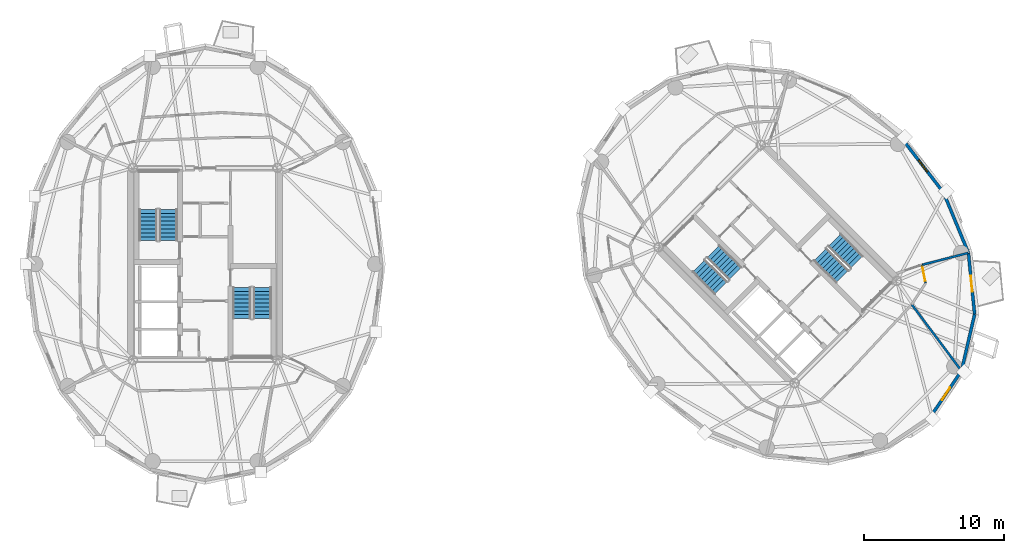
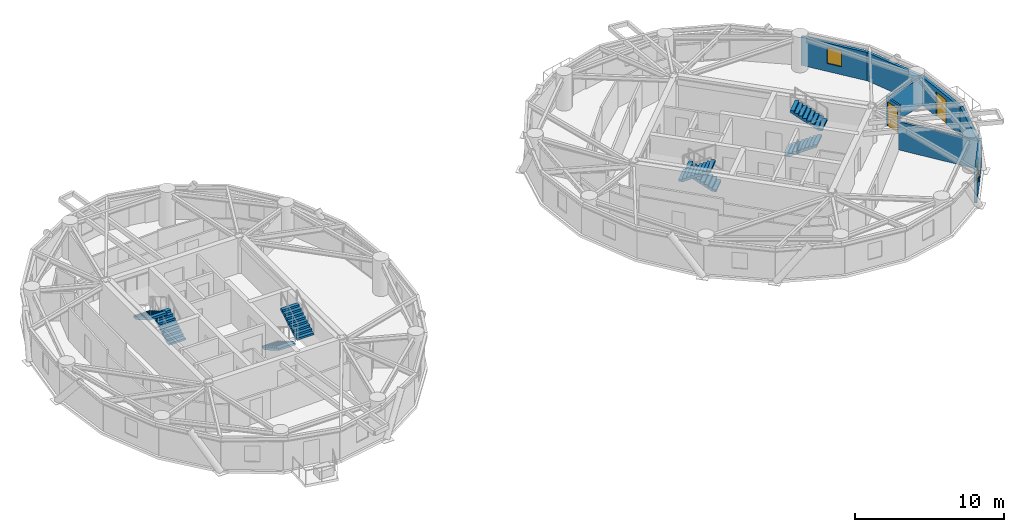
# One storey, part 13 of 16: 8 stair flights, 8 walls, 2 doors, 2 windows, 4 openings, 4 elements without a shape of their own.
"""IFC4 building model written with IfcOpenShell, lengths in metres."""

from ifc_helpers import new_model, si_unit, direction, frame, frame_2d, origin, place, context, subcontext, project, spatial, polyline, rectangle, outline, extrude, source, transform, mapped, material, layer, layer_set, type_object, element, fill, aggregate, save


model = new_model("IFC4")

# Units and contexts
model_context = context("Model", 3, precision=1e-05, world=origin(), true_north=direction((0.0, 1.0)))
body_context = subcontext(model_context, "Body", "Model", "MODEL_VIEW")
ifc_project = project(units=[si_unit("LENGTHUNIT", "METRE"), si_unit("AREAUNIT", "SQUARE_METRE"), si_unit("VOLUMEUNIT", "CUBIC_METRE"), si_unit("PLANEANGLEUNIT", "RADIAN"), si_unit("MASSUNIT", "GRAM", prefix="KILO")], contexts=[model_context])

# Site, building, storey
site_placement = place(None, origin())
site = spatial("IfcSite", under=ifc_project, at=site_placement, CompositionType="ELEMENT")
building_placement = place(site_placement, origin())
building = spatial("IfcBuilding", under=site, at=building_placement, Name="Cununo Teusaquillo Station Towers", CompositionType="ELEMENT")
storey_placement = place(building_placement, frame((0.0, 0.0, 214.1201171875)))
storey = spatial("IfcBuildingStorey", under=building, at=storey_placement, Name="L68", CompositionType="ELEMENT", Elevation=214.1201171875)

# Wall, opening, window
ifc_material_1 = material(Name="Precast concrete C40/50", Category="concrete")
ifc_layer_1 = layer(ifc_material_1, 0.219970703125)
ifc_layer_set_1 = layer_set([ifc_layer_1], Name="Precast concrete C40/50")
wall_type_1 = type_object("IfcWallType", Name="WL-EXT-220", PredefinedType="SOLIDWALL", material=ifc_layer_set_1)
wall_1_placement = place(storey_placement, frame((70.663330078125, 16.856201171875, 0.0), z_axis=(0.0, 0.0, 1.0), x_axis=(-0.559495003079, -0.828833723692, 0.0)))
wall_1 = element("IfcWall", 1, at=wall_1_placement, inside=storey, type_object=wall_type_1, Name="L68 Tower B Exterior Facade Wall C15", PredefinedType="SOLIDWALL", context=body_context, shape_type="SweptSolid", body=[
    extrude(rectangle(XDim=3.9755859375, YDim=0.219970703125, at=frame_2d((1.98779296875, 0.0))), origin(), (0.0, 0.0, 1.0), 2.32177734375),
])
shared_shape_1 = source(origin(), body_context, "Body", "SweptSolid", [
    extrude(rectangle(XDim=1.050048828125, YDim=1.300048828125, at=frame_2d((0.52490234375, 0.64990234375))), frame((0.0, 0.119873046875, 0.0), z_axis=(0.0, -1.0, 0.0), x_axis=(1.0, 0.0, 0.0)), (0.0, 0.0, 1.0), 0.239990234375),
])
opening_1_placement = place(wall_1_placement, frame((1.462890625, 0.0, 0.64990234375)))
opening_1 = element("IfcOpeningElement", 2, at=opening_1_placement, cuts=wall_1, Name="Opening WN-04", PredefinedType="OPENING", context=body_context, shape_type="MappedRepresentation", body=[
    mapped(shared_shape_1, transform((0.0, 0.0, 0.0), x_axis=(1.0, 0.0, 0.0), y_axis=(0.0, 1.0, 0.0), z_axis=(0.0, 0.0, 1.0), scale=1.0)),
])
ifc_material_2 = material(Name="Operable acoustic tinted low-E double glazing", Category="glass")
window_type = type_object("IfcWindowType", Name="WIN-BAL-1050", PartitioningType="SINGLE_PANEL", PredefinedType="WINDOW", material=ifc_material_2)
shared_shape_2 = source(origin(), body_context, "Body", "SweptSolid", [
    extrude(rectangle(XDim=1.050048828125, YDim=1.300048828125, at=frame_2d((0.52490234375, 0.64990234375))), frame((0.0, 0.030029296875, 0.0), z_axis=(0.0, -1.0, 0.0), x_axis=(1.0, 0.0, 0.0)), (0.0, 0.0, 1.0), 0.06005859375),
])
window_1_placement = place(opening_1_placement, origin())
window_1 = element("IfcWindow", 3, at=window_1_placement, inside=storey, type_object=window_type, Name="L68 Tower B Facade Window C15", OverallHeight=1.300048828125, OverallWidth=1.050048828125, PartitioningType="SINGLE_PANEL", PredefinedType="WINDOW", context=body_context, shape_type="MappedRepresentation", body=[
    mapped(shared_shape_2, transform((0.0, 0.0, 0.0), x_axis=(1.0, 0.0, 0.0), y_axis=(0.0, 1.0, 0.0), z_axis=(0.0, 0.0, 1.0), scale=1.0)),
])
fill(opening_1, window_1)

# Wall
wall_2_placement = place(storey_placement, frame((71.59912109375, 20.899658203125, 0.0), z_axis=(0.0, 0.0, 1.0), x_axis=(-0.225473813158, -0.974249228678, 0.0)))
element("IfcWall", 4, at=wall_2_placement, inside=storey, type_object=wall_type_1, Name="L68 Tower B Exterior Facade Wall C16", PredefinedType="SOLIDWALL", context=body_context, shape_type="SweptSolid", body=[
    extrude(rectangle(XDim=4.150390625, YDim=0.219970703125, at=frame_2d((2.0751953125, 0.0))), origin(), (0.0, 0.0, 1.0), 2.32177734375),
])

# Wall, opening, door
wall_3_placement = place(storey_placement, frame((71.15478515625, 25.29541015625, 0.0), z_axis=(0.0, 0.0, 1.0), x_axis=(0.100570534541, -0.994929930991, 0.0)))
wall_3 = element("IfcWall", 5, at=wall_3_placement, inside=storey, type_object=wall_type_1, Name="L68 Tower B Exterior Facade Wall C17", PredefinedType="SOLIDWALL", context=body_context, shape_type="SweptSolid", body=[
    extrude(rectangle(XDim=4.418212890625, YDim=0.219970703125, at=frame_2d((2.208984375, 0.0))), origin(), (0.0, 0.0, 1.0), 2.32177734375),
])
shared_shape_3 = source(origin(), body_context, "Body", "SweptSolid", [
    extrude(rectangle(XDim=1.14990234375, YDim=2.0048828125, at=frame_2d((0.574951171875, 1.00244140625))), frame((0.0, 0.119873046875, 0.0), z_axis=(0.0, -1.0, 0.0), x_axis=(1.0, 0.0, 0.0)), (0.0, 0.0, 1.0), 0.239990234375),
])
opening_2_placement = place(wall_3_placement, frame((1.634033203125, 0.0, 0.0)))
opening_2 = element("IfcOpeningElement", 6, at=opening_2_placement, cuts=wall_3, Name="Opening ED-03", PredefinedType="OPENING", context=body_context, shape_type="MappedRepresentation", body=[
    mapped(shared_shape_3, transform((0.0, 0.0, 0.0), x_axis=(1.0, 0.0, 0.0), y_axis=(0.0, 1.0, 0.0), z_axis=(0.0, 0.0, 1.0), scale=1.0)),
])
ifc_material_3 = material(Name="Anodised dark bronze aluminium EN AW-6063-T6", Category="aluminium")
door_type_1 = type_object("IfcDoorType", Name="DR-EXT-BAL", OperationType="NOTDEFINED", PredefinedType="DOOR", material=ifc_material_3)
shared_shape_4 = source(origin(), body_context, "Body", "SweptSolid", [
    extrude(rectangle(XDim=1.14990234375, YDim=2.0048828125, at=frame_2d((0.574951171875, 1.00244140625))), frame((0.0, 0.02490234375, 0.0), z_axis=(0.0, -1.0, 0.0), x_axis=(1.0, 0.0, 0.0)), (0.0, 0.0, 1.0), 0.050048828125),
])
door_1_placement = place(opening_2_placement, origin())
door_1 = element("IfcDoor", 7, at=door_1_placement, inside=storey, type_object=door_type_1, Name="L68 Tower B Tree Balcony Door C17", OperationType="SINGLE_SWING_LEFT", OverallHeight=2.0048828125, OverallWidth=1.14990234375, PredefinedType="DOOR", context=body_context, shape_type="MappedRepresentation", body=[
    mapped(shared_shape_4, transform((0.0, 0.0, 0.0), x_axis=(1.0, 0.0, 0.0), y_axis=(0.0, 1.0, 0.0), z_axis=(0.0, 0.0, 1.0), scale=1.0)),
])
fill(opening_2, door_1)

# Wall
wall_4_placement = place(storey_placement, frame((69.373779296875, 29.61328125, 0.0), z_axis=(0.0, 0.0, 1.0), x_axis=(0.381309704956, -0.924447353237, 0.0)))
element("IfcWall", 8, at=wall_4_placement, inside=storey, type_object=wall_type_1, Name="L68 Tower B Exterior Facade Wall C18", PredefinedType="SOLIDWALL", context=body_context, shape_type="SweptSolid", body=[
    extrude(rectangle(XDim=4.670654296875, YDim=0.219970703125, at=frame_2d((2.33544921875, 0.0))), origin(), (0.0, 0.0, 1.0), 2.32177734375),
])

# Wall, opening, window
wall_5_placement = place(storey_placement, frame((66.430908203125, 33.430908203125, 0.0), z_axis=(0.0, 0.0, 1.0), x_axis=(0.610523083886, -0.791998462147, 0.0)))
wall_5 = element("IfcWall", 9, at=wall_5_placement, inside=storey, type_object=wall_type_1, Name="L68 Tower B Exterior Facade Wall C19", PredefinedType="SOLIDWALL", context=body_context, shape_type="SweptSolid", body=[
    extrude(rectangle(XDim=4.8203125, YDim=0.219970703125, at=frame_2d((2.41015625, 0.0))), origin(), (0.0, 0.0, 1.0), 2.32177734375),
])
opening_3_placement = place(wall_5_placement, frame((1.885009765625, 0.0, 0.64990234375)))
opening_3 = element("IfcOpeningElement", 10, at=opening_3_placement, cuts=wall_5, Name="Opening WN-04", PredefinedType="OPENING", context=body_context, shape_type="MappedRepresentation", body=[
    mapped(shared_shape_1, transform((0.0, 0.0, 0.0), x_axis=(1.0, 0.0, 0.0), y_axis=(0.0, 1.0, 0.0), z_axis=(0.0, 0.0, 1.0), scale=1.0)),
])
window_2_placement = place(opening_3_placement, origin())
window_2 = element("IfcWindow", 11, at=window_2_placement, inside=storey, type_object=window_type, Name="L68 Tower B Facade Window C19", OverallHeight=1.300048828125, OverallWidth=1.050048828125, PartitioningType="SINGLE_PANEL", PredefinedType="WINDOW", context=body_context, shape_type="MappedRepresentation", body=[
    mapped(shared_shape_2, transform((0.0, 0.0, 0.0), x_axis=(1.0, 0.0, 0.0), y_axis=(0.0, 1.0, 0.0), z_axis=(0.0, 0.0, 1.0), scale=1.0)),
])
fill(opening_3, window_2)

# Wall, opening, door
ifc_material_4 = material(Name="Fire-rated gypsum plasterboard partition assembly", Category="gypsum")
ifc_layer_2 = layer(ifc_material_4, 0.14990234375)
ifc_layer_set_2 = layer_set([ifc_layer_2], Name="Fire-rated gypsum plasterboard partition assembly")
wall_type_2 = type_object("IfcWallType", Name="WL-PART-150", PredefinedType="PARTITIONING", material=ifc_layer_set_2)
wall_6_placement = place(storey_placement, frame((68.08642578125, 23.12939453125, 0.0), z_axis=(0.0, 0.0, 1.0), x_axis=(-0.182004193146, 0.983297754334, 0.0)))
wall_6 = element("IfcWall", 12, at=wall_6_placement, inside=storey, type_object=wall_type_2, Name="L68 Tower B Corridor Ring Wall C17", PredefinedType="PARTITIONING", context=body_context, shape_type="SweptSolid", body=[
    extrude(rectangle(XDim=1.3359375, YDim=0.14990234375, at=frame_2d((0.66796875, 0.0))), origin(), (0.0, 0.0, 1.0), 2.32177734375),
])
shared_shape_5 = source(origin(), body_context, "Body", "SweptSolid", [
    extrude(rectangle(XDim=1.050048828125, YDim=2.014892578125, at=frame_2d((0.52490234375, 1.00732421875))), frame((0.0, 0.0849609375, 0.0), z_axis=(0.0, -1.0, 0.0), x_axis=(1.0, 0.0, 0.0)), (0.0, 0.0, 1.0), 0.169921875),
])
opening_4_placement = place(wall_6_placement, frame((0.14306640625, 0.0, 0.0)))
opening_4 = element("IfcOpeningElement", 13, at=opening_4_placement, cuts=wall_6, Name="Opening D-SU1", PredefinedType="OPENING", context=body_context, shape_type="MappedRepresentation", body=[
    mapped(shared_shape_5, transform((0.0, 0.0, 0.0), x_axis=(1.0, 0.0, 0.0), y_axis=(0.0, 1.0, 0.0), z_axis=(0.0, 0.0, 1.0), scale=1.0)),
])
ifc_material_5 = material(Name="Acoustic solid-core hardwood leaf assembly", Category="wood")
door_type_2 = type_object("IfcDoorType", Name="DR-SUITE-1050", OperationType="NOTDEFINED", PredefinedType="DOOR", material=ifc_material_5)
shared_shape_6 = source(origin(), body_context, "Body", "SweptSolid", [
    extrude(rectangle(XDim=1.050048828125, YDim=2.014892578125, at=frame_2d((0.52490234375, 1.00732421875))), frame((0.0, 0.02490234375, 0.0), z_axis=(0.0, -1.0, 0.0), x_axis=(1.0, 0.0, 0.0)), (0.0, 0.0, 1.0), 0.050048828125),
])
door_2_placement = place(opening_4_placement, origin())
door_2 = element("IfcDoor", 14, at=door_2_placement, inside=storey, type_object=door_type_2, Name="L68 Tower B Hotel Housekeeping & Linen Pantry Entrance Door", OperationType="SINGLE_SWING_LEFT", OverallHeight=2.014892578125, OverallWidth=1.050048828125, PredefinedType="DOOR", context=body_context, shape_type="MappedRepresentation", body=[
    mapped(shared_shape_6, transform((0.0, 0.0, 0.0), x_axis=(1.0, 0.0, 0.0), y_axis=(0.0, 1.0, 0.0), z_axis=(0.0, 0.0, 1.0), scale=1.0)),
])
fill(opening_4, door_2)

# Walls
ifc_material_6 = material(Name="Fire-rated gypsum plasterboard partition assembly", Category="gypsum")
ifc_layer_3 = layer(ifc_material_6, 0.159912109375)
ifc_layer_set_3 = layer_set([ifc_layer_3], Name="Fire-rated gypsum plasterboard partition assembly")
wall_type_3 = type_object("IfcWallType", Name="WL-PART-160", PredefinedType="PARTITIONING", material=ifc_layer_set_3)
wall_7_placement = place(storey_placement, frame((67.09521484375, 21.599609375, 0.0), z_axis=(0.0, 0.0, 1.0), x_axis=(0.599947190798, -0.800039604178, 0.0)))
element("IfcWall", 15, at=wall_7_placement, inside=storey, type_object=wall_type_3, Name="L68 Tower B Radial Suite Partition R05", PredefinedType="PARTITIONING", context=body_context, shape_type="SweptSolid", body=[
    extrude(rectangle(XDim=5.917724609375, YDim=0.159912109375, at=frame_2d((2.958984375, 0.0))), origin(), (0.0, 0.0, 1.0), 2.32177734375),
])
wall_8_placement = place(storey_placement, frame((67.84326171875, 24.443115234375, 0.0), z_axis=(0.0, 0.0, 1.0), x_axis=(0.968303102463, 0.249778105048, 0.0)))
element("IfcWall", 16, at=wall_8_placement, inside=storey, type_object=wall_type_3, Name="L68 Tower B Radial Suite Partition R06", PredefinedType="PARTITIONING", context=body_context, shape_type="SweptSolid", body=[
    extrude(rectangle(XDim=3.3994140625, YDim=0.159912109375, at=frame_2d((1.69970703125, 0.0))), origin(), (0.0, 0.0, 1.0), 2.32177734375),
])

# Stair, stair flights
ifc_material_7 = material(Name="Concrete C50/60", Category="concrete")
stair_type = type_object("IfcStairType", Name="ST-TWR-1300", PredefinedType="HALF_TURN_STAIR", material=ifc_material_7)
stair_1_placement = place(storey_placement, origin())
stair_1 = element("IfcStair", 17, at=stair_1_placement, inside=storey, type_object=stair_type, Name="L68 Tower A Protected Core Exit Stair 1", PredefinedType="HALF_TURN_STAIR")
ifc_material_8 = material(Name="Concrete C50/60", Category="concrete")
stair_flight_type = type_object("IfcStairFlightType", Name="SFL-TWR-1300", PredefinedType="STRAIGHT", material=ifc_material_8)
stair_flight_1_placement = place(storey_placement, frame((13.8701171875, 26.169921875, 0.0), z_axis=(0.0, 0.0, 1.0), x_axis=(0.0, 1.0, 0.0)))
stair_flight_1 = element("IfcStairFlight", 18, at=stair_flight_1_placement, type_object=stair_flight_type, Name="ST-T1-1 flight 1", NumberOfRisers=9, NumberOfTreads=8, PredefinedType="STRAIGHT", RiserHeight=0.161666667, TreadLength=0.28, context=body_context, shape_type="SweptSolid", body=[
    extrude(outline(polyline([(0.0, 0.0), (0.0, 0.16162109375), (0.280029296875, 0.16162109375), (0.280029296875, 0.3232421875), (0.56005859375, 0.3232421875), (0.56005859375, 0.485107421875), (0.840087890625, 0.485107421875), (0.840087890625, 0.646728515625), (1.1201171875, 0.646728515625), (1.1201171875, 0.808349609375), (1.39990234375, 0.808349609375), (1.39990234375, 0.969970703125), (1.679931640625, 0.969970703125), (1.679931640625, 1.131591796875), (1.9599609375, 1.131591796875), (1.9599609375, 1.293212890625), (2.239990234375, 1.293212890625), (2.239990234375, 1.455078125), (2.239990234375, 1.1201171875), (0.2998046875, 0.0), (0.0, 0.0)])), frame((0.0, 0.64990234375, 0.0), z_axis=(0.0, -1.0, 0.0), x_axis=(1.0, 0.0, 0.0)), (0.0, 0.0, 1.0), 1.300048828125),
])
stair_flight_2_placement = place(storey_placement, frame((12.409912109375, 28.409912109375, 1.454833984375), z_axis=(0.0, 0.0, 1.0), x_axis=(0.0, -1.0, 0.0)))
stair_flight_2 = element("IfcStairFlight", 19, at=stair_flight_2_placement, type_object=stair_flight_type, Name="ST-T1-1 flight 2", NumberOfRisers=9, NumberOfTreads=8, PredefinedType="STRAIGHT", RiserHeight=0.161666667, TreadLength=0.28, context=body_context, shape_type="SweptSolid", body=[
    extrude(outline(polyline([(0.0, 0.0), (0.0, 0.16162109375), (0.280029296875, 0.16162109375), (0.280029296875, 0.3232421875), (0.56005859375, 0.3232421875), (0.56005859375, 0.485107421875), (0.840087890625, 0.485107421875), (0.840087890625, 0.646728515625), (1.1201171875, 0.646728515625), (1.1201171875, 0.808349609375), (1.39990234375, 0.808349609375), (1.39990234375, 0.969970703125), (1.679931640625, 0.969970703125), (1.679931640625, 1.131591796875), (1.9599609375, 1.131591796875), (1.9599609375, 1.293212890625), (2.239990234375, 1.293212890625), (2.239990234375, 1.455078125), (2.239990234375, 1.1201171875), (0.2998046875, 0.0), (0.0, 0.0)])), frame((0.0, 0.64990234375, 0.0), z_axis=(0.0, -1.0, 0.0), x_axis=(1.0, 0.0, 0.0)), (0.0, 0.0, 1.0), 1.300048828125),
])
aggregate(stair_1, [stair_flight_1, stair_flight_2])

stair_2_placement = place(storey_placement, origin())
stair_2 = element("IfcStair", 20, at=stair_2_placement, inside=storey, type_object=stair_type, Name="L68 Tower A Protected Core Exit Stair 2", PredefinedType="HALF_TURN_STAIR")
stair_flight_3_placement = place(storey_placement, frame((19.1298828125, 22.830078125, 0.0), z_axis=(0.0, 0.0, 1.0), x_axis=(0.0, -1.0, 0.0)))
stair_flight_3 = element("IfcStairFlight", 21, at=stair_flight_3_placement, type_object=stair_flight_type, Name="ST-T1-2 flight 1", NumberOfRisers=9, NumberOfTreads=8, PredefinedType="STRAIGHT", RiserHeight=0.161666667, TreadLength=0.28, context=body_context, shape_type="SweptSolid", body=[
    extrude(outline(polyline([(0.0, 0.0), (0.0, 0.16162109375), (0.280029296875, 0.16162109375), (0.280029296875, 0.3232421875), (0.56005859375, 0.3232421875), (0.56005859375, 0.485107421875), (0.840087890625, 0.485107421875), (0.840087890625, 0.646728515625), (1.1201171875, 0.646728515625), (1.1201171875, 0.808349609375), (1.39990234375, 0.808349609375), (1.39990234375, 0.969970703125), (1.679931640625, 0.969970703125), (1.679931640625, 1.131591796875), (1.9599609375, 1.131591796875), (1.9599609375, 1.293212890625), (2.239990234375, 1.293212890625), (2.239990234375, 1.455078125), (2.239990234375, 1.1201171875), (0.2998046875, 0.0), (0.0, 0.0)])), frame((0.0, 0.64990234375, 0.0), z_axis=(0.0, -1.0, 0.0), x_axis=(1.0, 0.0, 0.0)), (0.0, 0.0, 1.0), 1.300048828125),
])
stair_flight_4_placement = place(storey_placement, frame((20.590087890625, 20.590087890625, 1.454833984375), z_axis=(0.0, 0.0, 1.0), x_axis=(0.0, 1.0, 0.0)))
stair_flight_4 = element("IfcStairFlight", 22, at=stair_flight_4_placement, type_object=stair_flight_type, Name="ST-T1-2 flight 2", NumberOfRisers=9, NumberOfTreads=8, PredefinedType="STRAIGHT", RiserHeight=0.161666667, TreadLength=0.28, context=body_context, shape_type="SweptSolid", body=[
    extrude(outline(polyline([(0.0, 0.0), (0.0, 0.16162109375), (0.280029296875, 0.16162109375), (0.280029296875, 0.3232421875), (0.56005859375, 0.3232421875), (0.56005859375, 0.485107421875), (0.840087890625, 0.485107421875), (0.840087890625, 0.646728515625), (1.1201171875, 0.646728515625), (1.1201171875, 0.808349609375), (1.39990234375, 0.808349609375), (1.39990234375, 0.969970703125), (1.679931640625, 0.969970703125), (1.679931640625, 1.131591796875), (1.9599609375, 1.131591796875), (1.9599609375, 1.293212890625), (2.239990234375, 1.293212890625), (2.239990234375, 1.455078125), (2.239990234375, 1.1201171875), (0.2998046875, 0.0), (0.0, 0.0)])), frame((0.0, 0.64990234375, 0.0), z_axis=(0.0, -1.0, 0.0), x_axis=(1.0, 0.0, 0.0)), (0.0, 0.0, 1.0), 1.300048828125),
])
aggregate(stair_2, [stair_flight_3, stair_flight_4])

stair_3_placement = place(storey_placement, origin())
stair_3 = element("IfcStair", 23, at=stair_3_placement, inside=storey, type_object=stair_type, Name="L68 Tower B Protected Core Exit Stair 1", PredefinedType="HALF_TURN_STAIR")
stair_flight_5_placement = place(storey_placement, frame((54.45947265625, 23.8212890625, 0.0), z_axis=(0.0, 0.0, 1.0), x_axis=(-0.707106781187, 0.707106781187, 0.0)))
stair_flight_5 = element("IfcStairFlight", 24, at=stair_flight_5_placement, type_object=stair_flight_type, Name="ST-T2-1 flight 1", NumberOfRisers=9, NumberOfTreads=8, PredefinedType="STRAIGHT", RiserHeight=0.161666667, TreadLength=0.28, context=body_context, shape_type="SweptSolid", body=[
    extrude(outline(polyline([(0.0, 0.0), (0.0, 0.16162109375), (0.280029296875, 0.16162109375), (0.280029296875, 0.3232421875), (0.56005859375, 0.3232421875), (0.56005859375, 0.485107421875), (0.840087890625, 0.485107421875), (0.840087890625, 0.646728515625), (1.1201171875, 0.646728515625), (1.1201171875, 0.808349609375), (1.39990234375, 0.808349609375), (1.39990234375, 0.969970703125), (1.679931640625, 0.969970703125), (1.679931640625, 1.131591796875), (1.9599609375, 1.131591796875), (1.9599609375, 1.293212890625), (2.239990234375, 1.293212890625), (2.239990234375, 1.455078125), (2.239990234375, 1.1201171875), (0.2998046875, 0.0), (0.0, 0.0)])), frame((0.0, 0.64990234375, 0.0), z_axis=(0.0, -1.0, 0.0), x_axis=(1.0, 0.0, 0.0)), (0.0, 0.0, 1.0), 1.300048828125),
])
stair_flight_6_placement = place(storey_placement, frame((51.84326171875, 24.372802734375, 1.454833984375), z_axis=(0.0, 0.0, 1.0), x_axis=(0.707106781187, -0.707106781187, 0.0)))
stair_flight_6 = element("IfcStairFlight", 25, at=stair_flight_6_placement, type_object=stair_flight_type, Name="ST-T2-1 flight 2", NumberOfRisers=9, NumberOfTreads=8, PredefinedType="STRAIGHT", RiserHeight=0.161666667, TreadLength=0.28, context=body_context, shape_type="SweptSolid", body=[
    extrude(outline(polyline([(0.0, 0.0), (0.0, 0.16162109375), (0.280029296875, 0.16162109375), (0.280029296875, 0.3232421875), (0.56005859375, 0.3232421875), (0.56005859375, 0.485107421875), (0.840087890625, 0.485107421875), (0.840087890625, 0.646728515625), (1.1201171875, 0.646728515625), (1.1201171875, 0.808349609375), (1.39990234375, 0.808349609375), (1.39990234375, 0.969970703125), (1.679931640625, 0.969970703125), (1.679931640625, 1.131591796875), (1.9599609375, 1.131591796875), (1.9599609375, 1.293212890625), (2.239990234375, 1.293212890625), (2.239990234375, 1.455078125), (2.239990234375, 1.1201171875), (0.2998046875, 0.0), (0.0, 0.0)])), frame((0.0, 0.64990234375, 0.0), z_axis=(0.0, -1.0, 0.0), x_axis=(1.0, 0.0, 0.0)), (0.0, 0.0, 1.0), 1.300048828125),
])
aggregate(stair_3, [stair_flight_5, stair_flight_6])

stair_4_placement = place(storey_placement, origin())
stair_4 = element("IfcStair", 26, at=stair_4_placement, inside=storey, type_object=stair_type, Name="L68 Tower B Protected Core Exit Stair 2", PredefinedType="HALF_TURN_STAIR")
stair_flight_7_placement = place(storey_placement, frame((60.54052734375, 25.1787109375, 0.0), z_axis=(0.0, 0.0, 1.0), x_axis=(0.707106781187, -0.707106781187, 0.0)))
stair_flight_7 = element("IfcStairFlight", 27, at=stair_flight_7_placement, type_object=stair_flight_type, Name="ST-T2-2 flight 1", NumberOfRisers=9, NumberOfTreads=8, PredefinedType="STRAIGHT", RiserHeight=0.161666667, TreadLength=0.28, context=body_context, shape_type="SweptSolid", body=[
    extrude(outline(polyline([(0.0, 0.0), (0.0, 0.16162109375), (0.280029296875, 0.16162109375), (0.280029296875, 0.3232421875), (0.56005859375, 0.3232421875), (0.56005859375, 0.485107421875), (0.840087890625, 0.485107421875), (0.840087890625, 0.646728515625), (1.1201171875, 0.646728515625), (1.1201171875, 0.808349609375), (1.39990234375, 0.808349609375), (1.39990234375, 0.969970703125), (1.679931640625, 0.969970703125), (1.679931640625, 1.131591796875), (1.9599609375, 1.131591796875), (1.9599609375, 1.293212890625), (2.239990234375, 1.293212890625), (2.239990234375, 1.455078125), (2.239990234375, 1.1201171875), (0.2998046875, 0.0), (0.0, 0.0)])), frame((0.0, 0.64990234375, 0.0), z_axis=(0.0, -1.0, 0.0), x_axis=(1.0, 0.0, 0.0)), (0.0, 0.0, 1.0), 1.300048828125),
])
stair_flight_8_placement = place(storey_placement, frame((63.15673828125, 24.627197265625, 1.454833984375), z_axis=(0.0, 0.0, 1.0), x_axis=(-0.707106781187, 0.707106781187, 0.0)))
stair_flight_8 = element("IfcStairFlight", 28, at=stair_flight_8_placement, type_object=stair_flight_type, Name="ST-T2-2 flight 2", NumberOfRisers=9, NumberOfTreads=8, PredefinedType="STRAIGHT", RiserHeight=0.161666667, TreadLength=0.28, context=body_context, shape_type="SweptSolid", body=[
    extrude(outline(polyline([(0.0, 0.0), (0.0, 0.16162109375), (0.280029296875, 0.16162109375), (0.280029296875, 0.3232421875), (0.56005859375, 0.3232421875), (0.56005859375, 0.485107421875), (0.840087890625, 0.485107421875), (0.840087890625, 0.646728515625), (1.1201171875, 0.646728515625), (1.1201171875, 0.808349609375), (1.39990234375, 0.808349609375), (1.39990234375, 0.969970703125), (1.679931640625, 0.969970703125), (1.679931640625, 1.131591796875), (1.9599609375, 1.131591796875), (1.9599609375, 1.293212890625), (2.239990234375, 1.293212890625), (2.239990234375, 1.455078125), (2.239990234375, 1.1201171875), (0.2998046875, 0.0), (0.0, 0.0)])), frame((0.0, 0.64990234375, 0.0), z_axis=(0.0, -1.0, 0.0), x_axis=(1.0, 0.0, 0.0)), (0.0, 0.0, 1.0), 1.300048828125),
])
aggregate(stair_4, [stair_flight_7, stair_flight_8])

save(model, "model.ifc")
